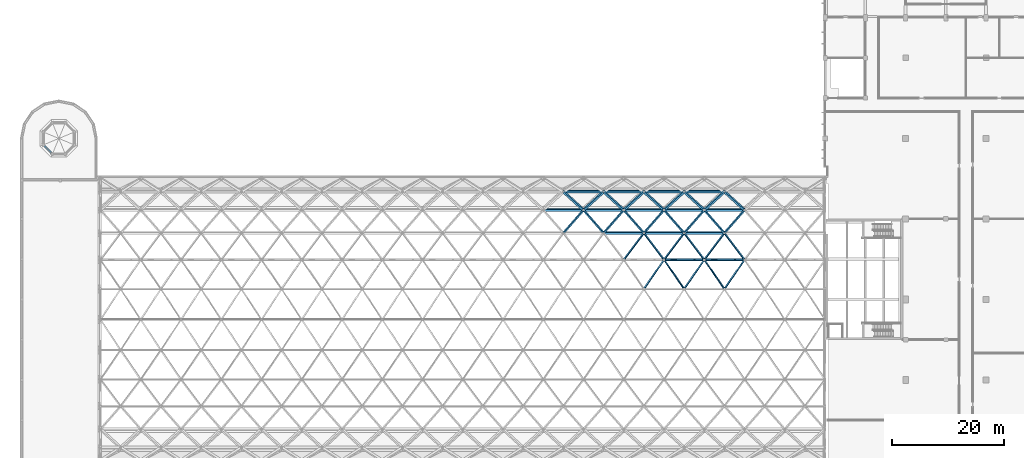
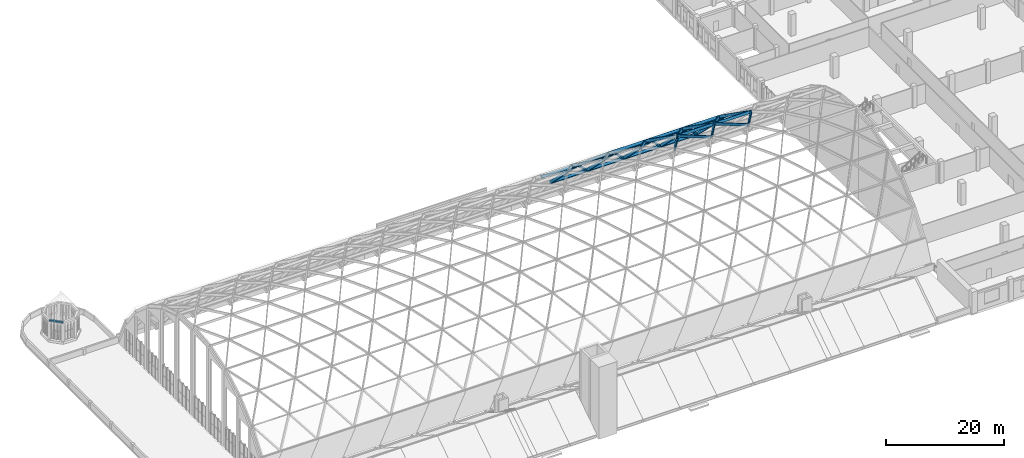
# One storey, part 11 of 52: 29 members, 15 beams.
"""IFC4 building model written with IfcOpenShell, lengths in metres."""

from ifc_helpers import new_model, si_unit, direction, frame, origin, origin_2d, place, context, subcontext, project, spatial, rectangle, extrude, material, material_profile, profile_set, type_object, element, save


model = new_model("IFC4")

# Units and contexts
model_context = context("Model", 3, precision=1e-05, world=origin(), true_north=direction((0.0, 1.0)))
body_context = subcontext(model_context, "Body", "Model", "MODEL_VIEW")
ifc_project = project(units=[si_unit("LENGTHUNIT", "METRE"), si_unit("AREAUNIT", "SQUARE_METRE"), si_unit("VOLUMEUNIT", "CUBIC_METRE"), si_unit("PLANEANGLEUNIT", "RADIAN"), si_unit("MASSUNIT", "GRAM", prefix="KILO")], contexts=[model_context])

# Site, building, storey
site_placement = place(None, origin())
site = spatial("IfcSite", under=ifc_project, at=site_placement, CompositionType="ELEMENT")
building_placement = place(site_placement, origin())
building = spatial("IfcBuilding", under=site, at=building_placement, Name="Vermilion Court Aquatics Centre", CompositionType="ELEMENT")
storey_placement = place(building_placement, frame((0.0, 0.0, 12.0)))
storey = spatial("IfcBuildingStorey", under=building, at=storey_placement, Name="L02", CompositionType="ELEMENT", Elevation=12.0)

# Beams
ifc_material_1 = material(Name="Glulam 24F-V4 Douglas fir", Category="wood")
ifc_material_profile_1 = material_profile(ifc_material_1, rectangle(XDim=0.1708984375, YDim=0.5, at=origin_2d()), Name="GL24F 171x500")
ifc_profile_set_1 = profile_set([ifc_material_profile_1], Name="Glulam 24F-V4 Douglas fir")
beam_type_1 = type_object("IfcBeamType", Name="Roof glulam beam GL24F 171x500", PredefinedType="BEAM", material=ifc_profile_set_1)
beam_1_placement = place(storey_placement, frame((115.199951171875, 50.300048828125, 16.007080078125), z_axis=(1.0, 0.0, 0.0), x_axis=(0.0, 0.915794264632, -0.401647687492)))
element("IfcBeam", 1, at=beam_1_placement, inside=storey, type_object=beam_type_1, Name="Gridshell member GM-S08-14", PredefinedType="BEAM", context=body_context, shape_type="SweptSolid", body=[
    extrude(rectangle(XDim=0.1708984375, YDim=0.5, at=origin_2d()), origin(), (0.0, 0.0, 1.0), 7.199951171875),
])
beam_2_placement = place(storey_placement, frame((122.39990234375, 50.300048828125, 16.007080078125), z_axis=(1.0, 0.0, 0.0), x_axis=(0.0, 0.915794264632, -0.401647687492)))
element("IfcBeam", 2, at=beam_2_placement, inside=storey, type_object=beam_type_1, Name="Gridshell member GM-S08-15", PredefinedType="BEAM", context=body_context, shape_type="SweptSolid", body=[
    extrude(rectangle(XDim=0.1708984375, YDim=0.5, at=origin_2d()), origin(), (0.0, 0.0, 1.0), 7.2001953125),
])
ifc_material_2 = material(Name="Glulam 24F-V4 Douglas fir", Category="wood")
ifc_material_profile_2 = material_profile(ifc_material_2, rectangle(XDim=0.221923828125, YDim=0.5, at=origin_2d()), Name="GL24F 222x500")
ifc_profile_set_2 = profile_set([ifc_material_profile_2], Name="Glulam 24F-V4 Douglas fir")
beam_type_2 = type_object("IfcBeamType", Name="Roof glulam beam GL24F 222x500", PredefinedType="BEAM", material=ifc_profile_set_2)
beam_3_placement = place(storey_placement, frame((104.39990234375, 55.080078125, 13.291015625), z_axis=(1.0, 0.0, 0.0), x_axis=(0.0, 0.813847589394, -0.581078395087)))
element("IfcBeam", 3, at=beam_3_placement, inside=storey, type_object=beam_type_2, Name="Gridshell member GM-S09-13", PredefinedType="BEAM", context=body_context, shape_type="SweptSolid", body=[
    extrude(rectangle(XDim=0.221923828125, YDim=0.5, at=origin_2d()), origin(), (0.0, 0.0, 1.0), 7.2001953125),
])
for number, where, z_axis, x_axis, name in (
    (4, (111.60009765625, 55.080078125, 13.291015625), (1.0, 0.0, 0.0), (0.0, 0.813847589394, -0.581078395087), "Gridshell member GM-S09-14"),
    (5, (118.800048828125, 55.080078125, 13.291015625), (1.0, 0.0, 0.0), (0.0, 0.813847589394, -0.581078395087), "Gridshell member GM-S09-15"),
    (6, (93.60009765625, 59.199951171875, 9.652099609375), (1.0, 0.0, 0.0), (0.0, 0.677259808472, -0.735743944473), "Gridshell member GM-S10-11"),
    (7, (100.800048828125, 59.199951171875, 9.652099609375), (1.0, 0.0, 0.0), (0.0, 0.677259808472, -0.735743944473), "Gridshell member GM-S10-12"),
    (8, (108.0, 59.199951171875, 9.652099609375), (1.0, 0.0, 0.0), (0.0, 0.677259808472, -0.735743944473), "Gridshell member GM-S10-13"),
    (9, (115.199951171875, 59.199951171875, 9.652099609375), (1.0, 0.0, 0.0), (0.0, 0.677259808472, -0.735743944473), "Gridshell member GM-S10-14"),
):
    element("IfcBeam", number, at=place(storey_placement, frame(where, z_axis=z_axis, x_axis=x_axis)), inside=storey, type_object=beam_type_2, Name=name, PredefinedType="BEAM", context=body_context, shape_type="SweptSolid", body=[
        extrude(rectangle(XDim=0.221923828125, YDim=0.5, at=origin_2d()), origin(), (0.0, 0.0, 1.0), 7.199951171875),
    ])
beam_4_placement = place(storey_placement, frame((122.39990234375, 59.199951171875, 9.652099609375), z_axis=(1.0, 0.0, 0.0), x_axis=(0.0, 0.677259808472, -0.735743944473)))
element("IfcBeam", 10, at=beam_4_placement, inside=storey, type_object=beam_type_2, Name="Gridshell member GM-S10-15", PredefinedType="BEAM", context=body_context, shape_type="SweptSolid", body=[
    extrude(rectangle(XDim=0.221923828125, YDim=0.5, at=origin_2d()), origin(), (0.0, 0.0, 1.0), 7.2001953125),
])
ifc_material_3 = material(Name="Glulam 24F-V4 Douglas fir", Category="wood")
ifc_material_profile_3 = material_profile(ifc_material_3, rectangle(XDim=0.27294921875, YDim=0.5, at=origin_2d()), Name="GL24F 273x500")
ifc_profile_set_3 = profile_set([ifc_material_profile_3], Name="Glulam 24F-V4 Douglas fir")
beam_type_3 = type_object("IfcBeamType", Name="Roof glulam beam GL24F 273x500", PredefinedType="BEAM", material=ifc_profile_set_3)
beam_5_placement = place(storey_placement, frame((97.199951171875, 62.489990234375, 5.239013671875), z_axis=(1.0, 0.0, 0.0), x_axis=(0.0, 0.511594723072, -0.859226884661)))
element("IfcBeam", 11, at=beam_5_placement, inside=storey, type_object=beam_type_3, Name="Gridshell member GM-S11-12", PredefinedType="BEAM", context=body_context, shape_type="SweptSolid", body=[
    extrude(rectangle(XDim=0.27294921875, YDim=0.5, at=origin_2d()), origin(), (0.0, 0.0, 1.0), 7.199951171875),
])
beam_6_placement = place(storey_placement, frame((104.39990234375, 62.489990234375, 5.239013671875), z_axis=(1.0, 0.0, 0.0), x_axis=(0.0, 0.511594723072, -0.859226884661)))
element("IfcBeam", 12, at=beam_6_placement, inside=storey, type_object=beam_type_3, Name="Gridshell member GM-S11-13", PredefinedType="BEAM", context=body_context, shape_type="SweptSolid", body=[
    extrude(rectangle(XDim=0.27294921875, YDim=0.5, at=origin_2d()), origin(), (0.0, 0.0, 1.0), 7.2001953125),
])
for number, where, z_axis, x_axis, name in (
    (13, (111.60009765625, 62.489990234375, 5.239013671875), (1.0, 0.0, 0.0), (0.0, 0.511594723072, -0.859226884661), "Gridshell member GM-S11-14"),
    (14, (118.800048828125, 62.489990234375, 5.239013671875), (1.0, 0.0, 0.0), (0.0, 0.511594723072, -0.859226884661), "Gridshell member GM-S11-15"),
):
    element("IfcBeam", number, at=place(storey_placement, frame(where, z_axis=z_axis, x_axis=x_axis)), inside=storey, type_object=beam_type_3, Name=name, PredefinedType="BEAM", context=body_context, shape_type="SweptSolid", body=[
        extrude(rectangle(XDim=0.27294921875, YDim=0.5, at=origin_2d()), origin(), (0.0, 0.0, 1.0), 7.199951171875),
    ])

# Members
ifc_material_4 = material(Name="Glulam 24F-V4 Douglas fir", Category="wood")
ifc_material_profile_4 = material_profile(ifc_material_4, rectangle(XDim=0.1708984375, YDim=0.5, at=origin_2d()), Name="GL24F 171x500")
ifc_profile_set_4 = profile_set([ifc_material_profile_4], Name="Glulam 24F-V4 Douglas fir")
member_type_1 = type_object("IfcMemberType", Name="Roof glulam diagonal GL24F 171x500", PredefinedType="BRACE", material=ifc_profile_set_4)
for number, where, z_axis, x_axis, name in (
    (15, (111.60009765625, 45.070068359375, 17.681884765625), (0.548229645356, 0.796485280625, -0.255059706147), (-0.836327836937, 0.522085963539, -0.167278198938), "Gridshell member GM-D07-27"),
    (16, (118.800048828125, 45.070068359375, 17.681884765625), (-0.548255650399, 0.796469045357, -0.255054507103), (-0.836310790084, -0.522113193833, 0.167278436192), "Gridshell member GM-D07-28"),
    (17, (118.800048828125, 45.070068359375, 17.681884765625), (0.548229645356, 0.796485280625, -0.255059706147), (-0.836327836937, 0.522085963539, -0.167278198938), "Gridshell member GM-D07-29"),
    (18, (126.0, 45.070068359375, 17.681884765625), (-0.548255650399, 0.796469045357, -0.255054507103), (-0.836310790084, -0.522113193833, 0.167278436192), "Gridshell member GM-D07-30"),
    (19, (126.0, 45.070068359375, 17.681884765625), (0.548255650399, 0.796469045357, -0.255054507103), (-0.836310790084, 0.522113193833, -0.167278436192), "Gridshell member GM-D07-31"),
):
    element("IfcMember", number, at=place(storey_placement, frame(where, z_axis=z_axis, x_axis=x_axis)), inside=storey, type_object=member_type_1, Name=name, PredefinedType="BRACE", context=body_context, shape_type="SweptSolid", body=[
        extrude(rectangle(XDim=0.1708984375, YDim=0.5, at=origin_2d()), origin(), (0.0, 0.0, 1.0), 6.56640625),
    ])
ifc_material_5 = material(Name="Glulam 24F-V4 Douglas fir", Category="wood")
ifc_material_profile_5 = material_profile(ifc_material_5, rectangle(XDim=0.221923828125, YDim=0.5, at=origin_2d()), Name="GL24F 222x500")
ifc_profile_set_5 = profile_set([ifc_material_profile_5], Name="Glulam 24F-V4 Douglas fir")
member_type_2 = type_object("IfcMemberType", Name="Roof glulam diagonal GL24F 222x500", PredefinedType="BRACE", material=ifc_profile_set_5)
for number, where, z_axis, x_axis, name in (
    (20, (108.0, 50.300048828125, 16.007080078125), (0.547823721413, 0.72737289038, -0.413301159685), (-0.836593790264, 0.476314014443, -0.270621118423), "Gridshell member GM-D08-26"),
    (21, (115.199951171875, 50.300048828125, 16.007080078125), (-0.54779771927, 0.727387693835, -0.413309571169), (-0.836610816753, -0.476284752714, 0.270619983787), "Gridshell member GM-D08-27"),
    (22, (115.199951171875, 50.300048828125, 16.007080078125), (0.547823721413, 0.72737289038, -0.413301159685), (-0.836593790264, 0.476314014443, -0.270621118423), "Gridshell member GM-D08-28"),
    (23, (122.39990234375, 50.300048828125, 16.007080078125), (-0.54779771927, 0.727387693835, -0.413309571169), (-0.836610816753, -0.476284752714, 0.270619983787), "Gridshell member GM-D08-29"),
    (24, (122.39990234375, 50.300048828125, 16.007080078125), (0.547823721413, 0.72737289038, -0.413301159685), (-0.836593790264, 0.476314014443, -0.270621118423), "Gridshell member GM-D08-30"),
    (25, (129.60009765625, 50.300048828125, 16.007080078125), (-0.547823721413, 0.72737289038, -0.413301159685), (-0.836593790264, -0.476314014443, 0.270621118423), "Gridshell member GM-D08-31"),
):
    element("IfcMember", number, at=place(storey_placement, frame(where, z_axis=z_axis, x_axis=x_axis)), inside=storey, type_object=member_type_2, Name=name, PredefinedType="BRACE", context=body_context, shape_type="SweptSolid", body=[
        extrude(rectangle(XDim=0.221923828125, YDim=0.5, at=origin_2d()), origin(), (0.0, 0.0, 1.0), 6.571533203125),
    ])
for number, where, z_axis, x_axis, name in (
    (26, (97.199951171875, 55.080078125, 13.291015625), (0.547891107597, 0.626994604686, -0.553798790095), (-0.836549658829, 0.410684601647, -0.362660759228), "Gridshell member GM-D09-23"),
    (27, (104.39990234375, 55.080078125, 13.291015625), (-0.547865104999, 0.627007368387, -0.553810063752), (-0.836566689223, -0.410652793719, 0.362657493363), "Gridshell member GM-D09-24"),
    (28, (104.39990234375, 55.080078125, 13.291015625), (0.547891107597, 0.626994604686, -0.553798790095), (-0.836549658829, 0.410684601647, -0.362660759228), "Gridshell member GM-D09-25"),
    (29, (111.60009765625, 55.080078125, 13.291015625), (-0.547891107597, 0.626994604686, -0.553798790095), (-0.836549658829, -0.410684601647, 0.362660759228), "Gridshell member GM-D09-26"),
    (30, (111.60009765625, 55.080078125, 13.291015625), (0.547865104999, 0.627007368387, -0.553810063752), (-0.836566689223, 0.410652793719, -0.362657493363), "Gridshell member GM-D09-27"),
    (31, (118.800048828125, 55.080078125, 13.291015625), (-0.547891107597, 0.626994604686, -0.553798790095), (-0.836549658829, -0.410684601647, 0.362660759228), "Gridshell member GM-D09-28"),
    (32, (118.800048828125, 55.080078125, 13.291015625), (0.547865104999, 0.627007368387, -0.553810063752), (-0.836566689223, 0.410652793719, -0.362657493363), "Gridshell member GM-D09-29"),
    (33, (126.0, 55.080078125, 13.291015625), (-0.547891107597, 0.626994604686, -0.553798790095), (-0.836549658829, -0.410684601647, 0.362660759228), "Gridshell member GM-D09-30"),
    (34, (126.0, 55.080078125, 13.291015625), (0.547891107597, 0.626994604686, -0.553798790095), (-0.836549658829, 0.410684601647, -0.362660759228), "Gridshell member GM-D09-31"),
):
    element("IfcMember", number, at=place(storey_placement, frame(where, z_axis=z_axis, x_axis=x_axis)), inside=storey, type_object=member_type_2, Name=name, PredefinedType="BRACE", context=body_context, shape_type="SweptSolid", body=[
        extrude(rectangle(XDim=0.221923828125, YDim=0.5, at=origin_2d()), origin(), (0.0, 0.0, 1.0), 6.57080078125),
    ])
ifc_material_6 = material(Name="Glulam 24F-V4 Douglas fir", Category="wood")
ifc_material_profile_6 = material_profile(ifc_material_6, rectangle(XDim=0.27294921875, YDim=0.5, at=origin_2d()), Name="GL24F 273x500")
ifc_profile_set_6 = profile_set([ifc_material_profile_6], Name="Glulam 24F-V4 Douglas fir")
member_type_3 = type_object("IfcMemberType", Name="Roof glulam diagonal GL24F 273x500", PredefinedType="BRACE", material=ifc_profile_set_6)
for number, where, z_axis, x_axis, name in (
    (35, (100.800048828125, 59.199951171875, 9.652099609375), (-0.547354985532, 0.500214009563, -0.670960851652), (-0.836900542699, -0.327116726721, 0.438853197242), "Gridshell member GM-D10-23"),
    (36, (100.800048828125, 59.199951171875, 9.652099609375), (0.547328986583, 0.500224172478, -0.670974483654), (-0.836917545043, 0.32708302, -0.438845896445), "Gridshell member GM-D10-24"),
    (37, (108.0, 59.199951171875, 9.652099609375), (-0.547354985532, 0.500214009563, -0.670960851652), (-0.836900542699, -0.327116726721, 0.438853197242), "Gridshell member GM-D10-25"),
    (38, (108.0, 59.199951171875, 9.652099609375), (0.547354985532, 0.500214009563, -0.670960851652), (-0.836900542699, 0.327116726721, -0.438853197242), "Gridshell member GM-D10-26"),
    (39, (115.199951171875, 59.199951171875, 9.652099609375), (-0.547328986583, 0.500224172478, -0.670974483654), (-0.836917545043, -0.32708302, 0.438845896445), "Gridshell member GM-D10-27"),
    (40, (115.199951171875, 59.199951171875, 9.652099609375), (0.547354985532, 0.500214009563, -0.670960851652), (-0.836900542699, 0.327116726721, -0.438853197242), "Gridshell member GM-D10-28"),
    (41, (122.39990234375, 59.199951171875, 9.652099609375), (-0.547328986583, 0.500224172478, -0.670974483654), (-0.836917545043, -0.32708302, 0.438845896445), "Gridshell member GM-D10-29"),
    (42, (122.39990234375, 59.199951171875, 9.652099609375), (0.547354985532, 0.500214009563, -0.670960851652), (-0.836900542699, 0.327116726721, -0.438853197242), "Gridshell member GM-D10-30"),
    (43, (129.60009765625, 59.199951171875, 9.652099609375), (-0.547354985532, 0.500214009563, -0.670960851652), (-0.836900542699, -0.327116726721, 0.438853197242), "Gridshell member GM-D10-31"),
):
    element("IfcMember", number, at=place(storey_placement, frame(where, z_axis=z_axis, x_axis=x_axis)), inside=storey, type_object=member_type_3, Name=name, PredefinedType="BRACE", context=body_context, shape_type="SweptSolid", body=[
        extrude(rectangle(XDim=0.27294921875, YDim=0.5, at=origin_2d()), origin(), (0.0, 0.0, 1.0), 6.5771484375),
    ])

# Beam
ifc_material_7 = material(Name="Concrete 5000 psi", Category="concrete")
ifc_material_profile_7 = material_profile(ifc_material_7, rectangle(XDim=0.35009765625, YDim=0.300048828125, at=origin_2d()), Name="RC 350x300")
ifc_profile_set_7 = profile_set([ifc_material_profile_7], Name="Concrete 5000 psi")
beam_type_4 = type_object("IfcBeamType", Name="Rotunda lantern ring beam RC 350x300", PredefinedType="BEAM", material=ifc_profile_set_7)
beam_7_placement = place(storey_placement, frame((4.1171875, 70.899169921875, 4.25), z_axis=(0.707106781187, -0.707106781187, 0.0), x_axis=(0.707106781187, 0.707106781187, 0.0)))
element("IfcBeam", 44, at=beam_7_placement, inside=storey, type_object=beam_type_4, Name="Rotunda lantern ring beam", PredefinedType="BEAM", context=body_context, shape_type="SweptSolid", body=[
    extrude(rectangle(XDim=0.35009765625, YDim=0.300048828125, at=origin_2d()), origin(), (0.0, 0.0, 1.0), 2.44921875),
])

save(model, "model.ifc")
